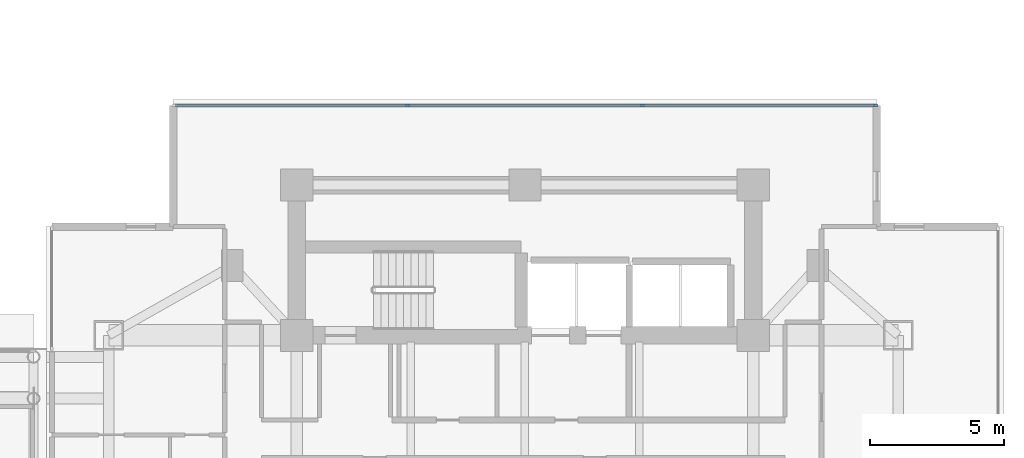
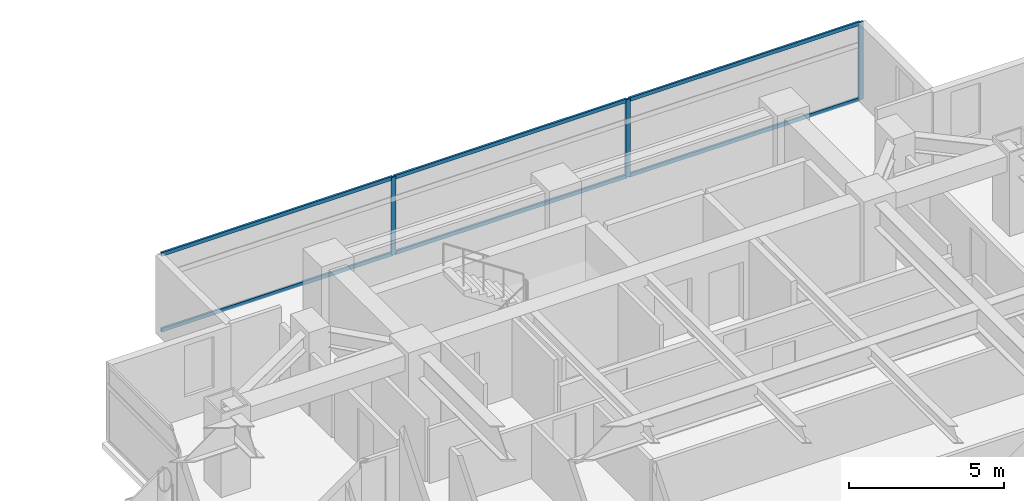
# One storey, part 11 of 27: 9 members, 1 element without a shape of its own.
"""IFC4 building model written with IfcOpenShell, lengths in metres."""

from ifc_helpers import new_model, si_unit, direction, frame, origin, origin_2d, place, context, subcontext, project, spatial, rectangle, extrude, material, material_profile, profile_set, type_object, element, aggregate, save


model = new_model("IFC4")

# Units and contexts
model_context = context("Model", 3, precision=1e-05, world=origin(), true_north=direction((0.0, 1.0)))
body_context = subcontext(model_context, "Body", "Model", "MODEL_VIEW")
ifc_project = project(units=[si_unit("LENGTHUNIT", "METRE"), si_unit("AREAUNIT", "SQUARE_METRE"), si_unit("VOLUMEUNIT", "CUBIC_METRE"), si_unit("PLANEANGLEUNIT", "RADIAN"), si_unit("MASSUNIT", "GRAM", prefix="KILO")], contexts=[model_context])

# Site, building, storey
site_placement = place(None, origin())
site = spatial("IfcSite", under=ifc_project, at=site_placement, CompositionType="ELEMENT")
building_placement = place(site_placement, origin())
building = spatial("IfcBuilding", under=site, at=building_placement, Name="Mirazonda Arch Towers", CompositionType="ELEMENT")
storey_placement = place(building_placement, frame((0.0, 0.0, 95.0)))
storey = spatial("IfcBuildingStorey", under=building, at=storey_placement, Name="L26", CompositionType="ELEMENT", Elevation=95.0)

# Curtain wall, members
ifc_material_1 = material(Name="Anodised Aluminium and Low-E Glass", Category="aluminium")
curtain_wall_type = type_object("IfcCurtainWallType", Name="CW-HTL-UNIT", PredefinedType="NOTDEFINED", material=ifc_material_1)
curtain_wall_placement = place(storey_placement, origin())
curtain_wall = element("IfcCurtainWall", 1, at=curtain_wall_placement, inside=storey, type_object=curtain_wall_type, Name="L26 T2 N Facade CW-L26-T2-N", PredefinedType="NOTDEFINED")
ifc_material_2 = material(Name="Anodised Aluminium Alloy", Category="aluminium")
ifc_material_profile_1 = material_profile(ifc_material_2, rectangle(XDim=0.074951171875, YDim=0.1650390625, at=origin_2d()), Name="ALU-MULL-75x165")
ifc_profile_set_1 = profile_set([ifc_material_profile_1], Name="Anodised Aluminium Alloy")
member_type_1 = type_object("IfcMemberType", Name="MULL-CW-HTL-UNIT", PredefinedType="MULLION", material=ifc_profile_set_1)
member_1_placement = place(storey_placement, frame((72.132568359375, 43.76416015625, 0.0), z_axis=(0.0, 0.0, 1.0), x_axis=(0.0, 1.0, 0.0)))
member_1 = element("IfcMember", 2, at=member_1_placement, type_object=member_type_1, Name="CW-112 mullion 2", PredefinedType="MULLION", context=body_context, shape_type="SweptSolid", body=[
    extrude(rectangle(XDim=0.074951171875, YDim=0.1650390625, at=origin_2d()), origin(), (0.0, 0.0, 1.0), 3.06005859375),
])
member_2_placement = place(storey_placement, frame((80.867431640625, 43.76416015625, 0.0), z_axis=(0.0, 0.0, 1.0), x_axis=(0.0, 1.0, 0.0)))
member_2 = element("IfcMember", 3, at=member_2_placement, type_object=member_type_1, Name="CW-112 mullion 3", PredefinedType="MULLION", context=body_context, shape_type="SweptSolid", body=[
    extrude(rectangle(XDim=0.074951171875, YDim=0.1650390625, at=origin_2d()), origin(), (0.0, 0.0, 1.0), 3.06005859375),
])
member_3_placement = place(storey_placement, frame((89.564697265625, 43.76416015625, 0.0), z_axis=(0.0, 0.0, 1.0), x_axis=(0.0, 1.0, 0.0)))
member_3 = element("IfcMember", 4, at=member_3_placement, type_object=member_type_1, Name="CW-112 mullion 4", PredefinedType="MULLION", context=body_context, shape_type="SweptSolid", body=[
    extrude(rectangle(XDim=0.074951171875, YDim=0.1650390625, at=origin_2d()), origin(), (0.0, 0.0, 1.0), 3.06005859375),
])
ifc_material_profile_2 = material_profile(ifc_material_2, rectangle(XDim=0.074951171875, YDim=0.14501953125, at=origin_2d()), Name="ALU-TRAN-75x145")
ifc_profile_set_2 = profile_set([ifc_material_profile_2], Name="Anodised Aluminium Alloy")
member_type_2 = type_object("IfcMemberType", Name="TRAN-CW-HTL-UNIT", PredefinedType="USERDEFINED", material=ifc_profile_set_2)
member_4_placement = place(storey_placement, frame((63.472900390625, 43.76416015625, 0.03759765625), z_axis=(1.0, 0.0, 0.0), x_axis=(0.0, 1.0, 0.0)))
member_4 = element("IfcMember", 5, at=member_4_placement, type_object=member_type_2, Name="CW-112 transom 1.1", ObjectType="TRANSOM", PredefinedType="USERDEFINED", context=body_context, shape_type="SweptSolid", body=[
    extrude(rectangle(XDim=0.074951171875, YDim=0.14501953125, at=origin_2d()), origin(), (0.0, 0.0, 1.0), 8.622314453125),
])
member_5_placement = place(storey_placement, frame((63.472900390625, 43.76416015625, 3.0224609375), z_axis=(1.0, 0.0, 0.0), x_axis=(0.0, 1.0, 0.0)))
member_5 = element("IfcMember", 6, at=member_5_placement, type_object=member_type_2, Name="CW-112 transom 1.2", ObjectType="TRANSOM", PredefinedType="USERDEFINED", context=body_context, shape_type="SweptSolid", body=[
    extrude(rectangle(XDim=0.074951171875, YDim=0.14501953125, at=origin_2d()), origin(), (0.0, 0.0, 1.0), 8.622314453125),
])
member_6_placement = place(storey_placement, frame((72.170166015625, 43.76416015625, 0.03759765625), z_axis=(1.0, 0.0, 0.0), x_axis=(0.0, 1.0, 0.0)))
member_6 = element("IfcMember", 7, at=member_6_placement, type_object=member_type_2, Name="CW-112 transom 2.1", ObjectType="TRANSOM", PredefinedType="USERDEFINED", context=body_context, shape_type="SweptSolid", body=[
    extrude(rectangle(XDim=0.074951171875, YDim=0.14501953125, at=origin_2d()), origin(), (0.0, 0.0, 1.0), 8.65966796875),
])
member_7_placement = place(storey_placement, frame((72.170166015625, 43.76416015625, 3.0224609375), z_axis=(1.0, 0.0, 0.0), x_axis=(0.0, 1.0, 0.0)))
member_7 = element("IfcMember", 8, at=member_7_placement, type_object=member_type_2, Name="CW-112 transom 2.2", ObjectType="TRANSOM", PredefinedType="USERDEFINED", context=body_context, shape_type="SweptSolid", body=[
    extrude(rectangle(XDim=0.074951171875, YDim=0.14501953125, at=origin_2d()), origin(), (0.0, 0.0, 1.0), 8.65966796875),
])
member_8_placement = place(storey_placement, frame((80.90478515625, 43.76416015625, 0.03759765625), z_axis=(1.0, 0.0, 0.0), x_axis=(0.0, 1.0, 0.0)))
member_8 = element("IfcMember", 9, at=member_8_placement, type_object=member_type_2, Name="CW-112 transom 3.1", ObjectType="TRANSOM", PredefinedType="USERDEFINED", context=body_context, shape_type="SweptSolid", body=[
    extrude(rectangle(XDim=0.074951171875, YDim=0.14501953125, at=origin_2d()), origin(), (0.0, 0.0, 1.0), 8.622314453125),
])
member_9_placement = place(storey_placement, frame((80.90478515625, 43.76416015625, 3.0224609375), z_axis=(1.0, 0.0, 0.0), x_axis=(0.0, 1.0, 0.0)))
member_9 = element("IfcMember", 10, at=member_9_placement, type_object=member_type_2, Name="CW-112 transom 3.2", ObjectType="TRANSOM", PredefinedType="USERDEFINED", context=body_context, shape_type="SweptSolid", body=[
    extrude(rectangle(XDim=0.074951171875, YDim=0.14501953125, at=origin_2d()), origin(), (0.0, 0.0, 1.0), 8.622314453125),
])
aggregate(curtain_wall, [member_1, member_2, member_3, member_4, member_5, member_6, member_7, member_8, member_9])

save(model, "model.ifc")
